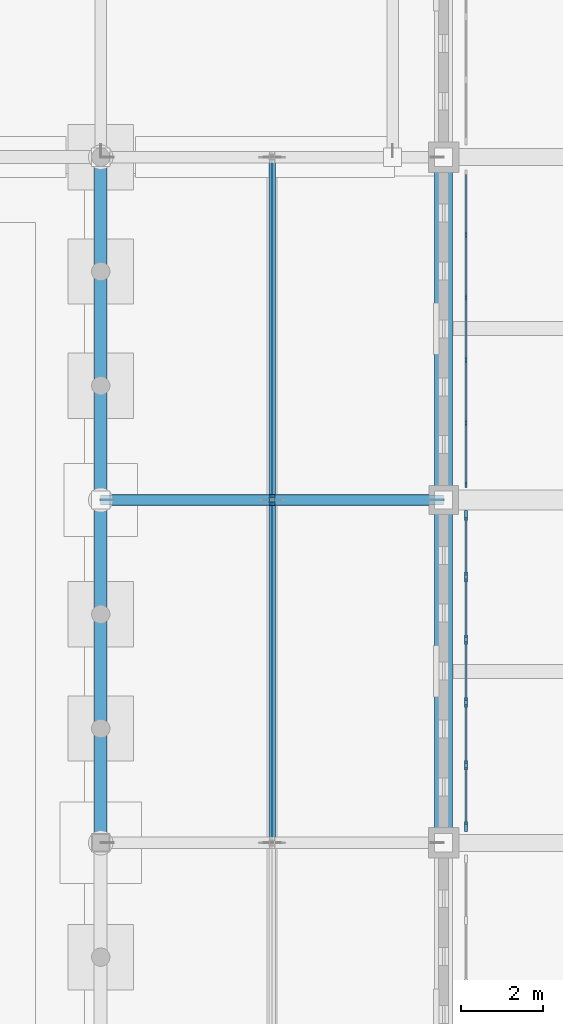
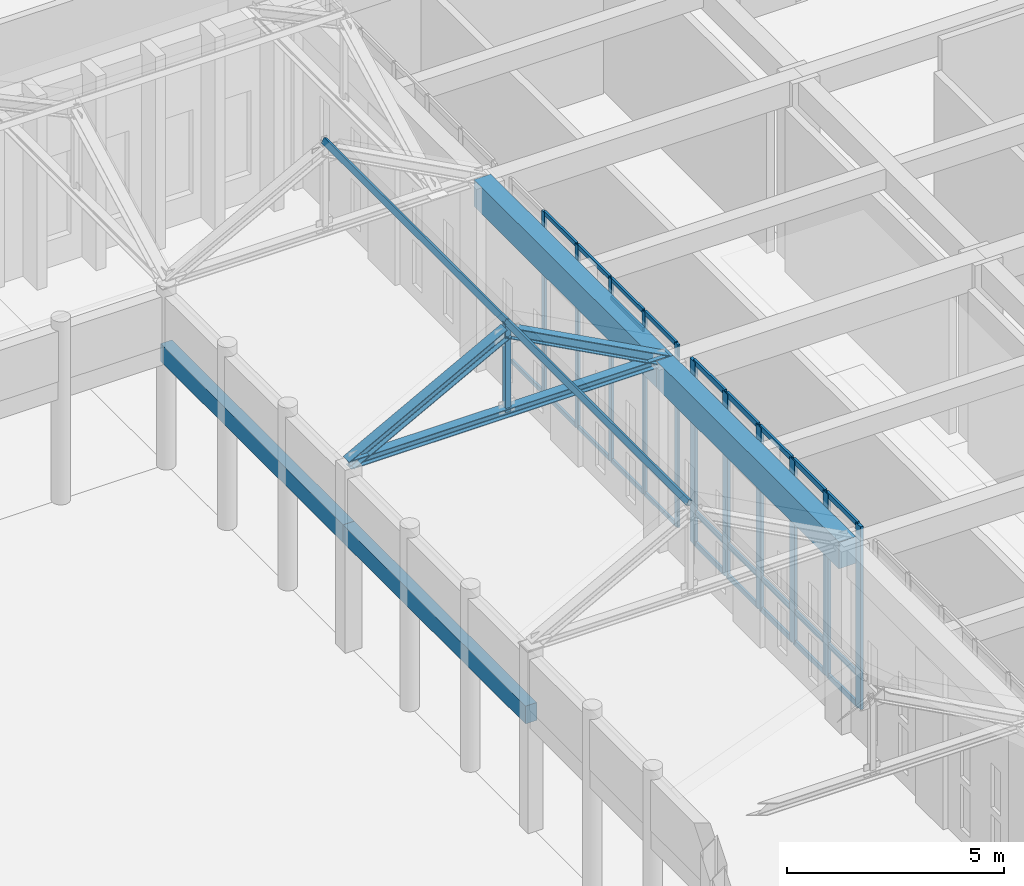
# One storey, part 61 of 143: 56 members, 4 beams, 2 elements without a shape of their own.
"""IFC4 building model written with IfcOpenShell, lengths in metres."""

from ifc_helpers import new_model, si_unit, direction, frame, origin, origin_2d, place, context, subcontext, project, spatial, rectangle, hollow_rectangle, i_section, extrude, material, layer, layer_set, material_profile, profile_set, type_object, element, aggregate, save


model = new_model("IFC4")

# Units and contexts
model_context = context("Model", 3, precision=1e-05, world=origin(), true_north=direction((0.0, 1.0)))
body_context = subcontext(model_context, "Body", "Model", "MODEL_VIEW")
ifc_project = project(units=[si_unit("LENGTHUNIT", "METRE"), si_unit("AREAUNIT", "SQUARE_METRE"), si_unit("VOLUMEUNIT", "CUBIC_METRE"), si_unit("PLANEANGLEUNIT", "RADIAN"), si_unit("MASSUNIT", "GRAM", prefix="KILO")], contexts=[model_context])

# Site, building, storey
site_placement = place(None, origin())
site = spatial("IfcSite", under=ifc_project, at=site_placement, CompositionType="ELEMENT")
building_placement = place(site_placement, origin())
building = spatial("IfcBuilding", under=site, at=building_placement, Name="Kveldsbrygga Polytechnic", CompositionType="ELEMENT")
storey_placement = place(building_placement, origin())
storey = spatial("IfcBuildingStorey", under=building, at=storey_placement, Name="L00", CompositionType="ELEMENT", Elevation=0.0)

# Beams
ifc_material_1 = material(Name="Concrete C35/45", Category="concrete")
ifc_material_profile_1 = material_profile(ifc_material_1, rectangle(XDim=0.449951171875, YDim=0.75, at=origin_2d()), Name="RC 450x750")
ifc_profile_set_1 = profile_set([ifc_material_profile_1], Name="Concrete C35/45")
beam_type_1 = type_object("IfcBeamType", Name="BM-RC-450x750", PredefinedType="BEAM", material=ifc_profile_set_1)
beam_1_placement = place(storey_placement, frame((126.0, 58.800048828125, 4.764892578125), z_axis=(0.0, 1.0, 0.0), x_axis=(-1.0, 0.0, 0.0)))
element("IfcBeam", 1, at=beam_1_placement, inside=storey, type_object=beam_type_1, Name="Primary Beam BMY-L00-15-07to08", PredefinedType="BEAM", context=body_context, shape_type="SweptSolid", body=[
    extrude(rectangle(XDim=0.449951171875, YDim=0.75, at=origin_2d()), origin(), (0.0, 0.0, 1.0), 8.39990234375),
])
beam_2_placement = place(storey_placement, frame((126.0, 67.199951171875, 4.764892578125), z_axis=(0.0, 1.0, 0.0), x_axis=(-1.0, 0.0, 0.0)))
element("IfcBeam", 2, at=beam_2_placement, inside=storey, type_object=beam_type_1, Name="Primary Beam BMY-L00-15-08to09", PredefinedType="BEAM", context=body_context, shape_type="SweptSolid", body=[
    extrude(rectangle(XDim=0.449951171875, YDim=0.75, at=origin_2d()), origin(), (0.0, 0.0, 1.0), 8.400146484375),
])

# Curtain wall, members
ifc_material_2 = material(Name="Anodised aluminium AW-6060", Category="aluminium")
ifc_layer_1 = layer(ifc_material_2, 0.179931640625)
ifc_layer_set_1 = layer_set([ifc_layer_1], Name="Anodised aluminium AW-6060")
curtain_wall_type_1 = type_object("IfcCurtainWallType", Name="CW-CONC-A", PredefinedType="USERDEFINED", material=ifc_layer_set_1)
curtain_wall_1_placement = place(storey_placement, origin())
curtain_wall_1 = element("IfcCurtainWall", 3, at=curtain_wall_1_placement, inside=storey, type_object=curtain_wall_type_1, Name="Curtain Wall CW-L00-Y-15-08", ObjectType="UNITISED CURTAIN WALL", PredefinedType="USERDEFINED")
ifc_material_profile_2 = material_profile(ifc_material_2, rectangle(XDim=0.06005859375, YDim=0.139892578125, at=origin_2d()), Name="ALU 60x140")
ifc_profile_set_2 = profile_set([ifc_material_profile_2], Name="Anodised aluminium AW-6060")
member_type_1 = type_object("IfcMemberType", Name="CW-MUL-140", PredefinedType="MULLION", material=ifc_profile_set_2)
member_1_placement = place(storey_placement, frame((126.550048828125, 67.574951171875, 0.0), z_axis=(0.0, 0.0, 1.0), x_axis=(-1.0, 0.0, 0.0)))
member_1 = element("IfcMember", 4, at=member_1_placement, type_object=member_type_1, Name="CW-01 mullion 1", PredefinedType="MULLION", context=body_context, shape_type="SweptSolid", body=[
    extrude(rectangle(XDim=0.06005859375, YDim=0.139892578125, at=origin_2d()), origin(), (0.0, 0.0, 1.0), 5.139892578125),
])
member_2_placement = place(storey_placement, frame((126.550048828125, 69.083984375, 0.0), z_axis=(0.0, 0.0, 1.0), x_axis=(-1.0, 0.0, 0.0)))
member_2 = element("IfcMember", 5, at=member_2_placement, type_object=member_type_1, Name="CW-01 mullion 2", PredefinedType="MULLION", context=body_context, shape_type="SweptSolid", body=[
    extrude(rectangle(XDim=0.06005859375, YDim=0.139892578125, at=origin_2d()), origin(), (0.0, 0.0, 1.0), 5.139892578125),
])
member_3_placement = place(storey_placement, frame((126.550048828125, 70.623046875, 0.0), z_axis=(0.0, 0.0, 1.0), x_axis=(-1.0, 0.0, 0.0)))
member_3 = element("IfcMember", 6, at=member_3_placement, type_object=member_type_1, Name="CW-01 mullion 3", PredefinedType="MULLION", context=body_context, shape_type="SweptSolid", body=[
    extrude(rectangle(XDim=0.06005859375, YDim=0.139892578125, at=origin_2d()), origin(), (0.0, 0.0, 1.0), 5.139892578125),
])
member_4_placement = place(storey_placement, frame((126.550048828125, 72.162109375, 0.0), z_axis=(0.0, 0.0, 1.0), x_axis=(-1.0, 0.0, 0.0)))
member_4 = element("IfcMember", 7, at=member_4_placement, type_object=member_type_1, Name="CW-01 mullion 4", PredefinedType="MULLION", context=body_context, shape_type="SweptSolid", body=[
    extrude(rectangle(XDim=0.06005859375, YDim=0.139892578125, at=origin_2d()), origin(), (0.0, 0.0, 1.0), 5.139892578125),
])
member_5_placement = place(storey_placement, frame((126.550048828125, 73.700927734375, 0.0), z_axis=(0.0, 0.0, 1.0), x_axis=(-1.0, 0.0, 0.0)))
member_5 = element("IfcMember", 8, at=member_5_placement, type_object=member_type_1, Name="CW-01 mullion 5", PredefinedType="MULLION", context=body_context, shape_type="SweptSolid", body=[
    extrude(rectangle(XDim=0.06005859375, YDim=0.139892578125, at=origin_2d()), origin(), (0.0, 0.0, 1.0), 5.139892578125),
])

ifc_layer_2 = layer(ifc_material_2, 0.2099609375)
ifc_layer_set_2 = layer_set([ifc_layer_2], Name="Anodised aluminium AW-6060")
curtain_wall_type_2 = type_object("IfcCurtainWallType", Name="CW-LIBR-H", PredefinedType="USERDEFINED", material=ifc_layer_set_2)
curtain_wall_2_placement = place(storey_placement, origin())
curtain_wall_2 = element("IfcCurtainWall", 9, at=curtain_wall_2_placement, inside=storey, type_object=curtain_wall_type_2, Name="Curtain Wall CW-L00-Y-15-07", ObjectType="UNITISED CURTAIN WALL", PredefinedType="USERDEFINED")
ifc_material_profile_3 = material_profile(ifc_material_2, rectangle(XDim=0.074951171875, YDim=0.239990234375, at=origin_2d()), Name="ALU 75x240")
ifc_profile_set_3 = profile_set([ifc_material_profile_3], Name="Anodised aluminium AW-6060")
member_type_2 = type_object("IfcMemberType", Name="CW-MUL-240", PredefinedType="MULLION", material=ifc_profile_set_3)
member_6_placement = place(storey_placement, frame((126.550048828125, 59.197509765625, 0.0), z_axis=(0.0, 0.0, 1.0), x_axis=(-1.0, 0.0, 0.0)))
member_6 = element("IfcMember", 10, at=member_6_placement, type_object=member_type_2, Name="CW-08 mullion 1", PredefinedType="MULLION", context=body_context, shape_type="SweptSolid", body=[
    extrude(rectangle(XDim=0.074951171875, YDim=0.239990234375, at=origin_2d()), origin(), (0.0, 0.0, 1.0), 5.139892578125),
])
member_7_placement = place(storey_placement, frame((126.550048828125, 60.698974609375, 0.0), z_axis=(0.0, 0.0, 1.0), x_axis=(-1.0, 0.0, 0.0)))
member_7 = element("IfcMember", 11, at=member_7_placement, type_object=member_type_2, Name="CW-08 mullion 2", PredefinedType="MULLION", context=body_context, shape_type="SweptSolid", body=[
    extrude(rectangle(XDim=0.074951171875, YDim=0.239990234375, at=origin_2d()), origin(), (0.0, 0.0, 1.0), 5.139892578125),
])
member_8_placement = place(storey_placement, frame((126.550048828125, 62.238037109375, 0.0), z_axis=(0.0, 0.0, 1.0), x_axis=(-1.0, 0.0, 0.0)))
member_8 = element("IfcMember", 12, at=member_8_placement, type_object=member_type_2, Name="CW-08 mullion 3", PredefinedType="MULLION", context=body_context, shape_type="SweptSolid", body=[
    extrude(rectangle(XDim=0.074951171875, YDim=0.239990234375, at=origin_2d()), origin(), (0.0, 0.0, 1.0), 5.139892578125),
])
member_9_placement = place(storey_placement, frame((126.550048828125, 63.777099609375, 0.0), z_axis=(0.0, 0.0, 1.0), x_axis=(-1.0, 0.0, 0.0)))
member_9 = element("IfcMember", 13, at=member_9_placement, type_object=member_type_2, Name="CW-08 mullion 4", PredefinedType="MULLION", context=body_context, shape_type="SweptSolid", body=[
    extrude(rectangle(XDim=0.074951171875, YDim=0.239990234375, at=origin_2d()), origin(), (0.0, 0.0, 1.0), 5.139892578125),
])
member_10_placement = place(storey_placement, frame((126.550048828125, 65.31591796875, 0.0), z_axis=(0.0, 0.0, 1.0), x_axis=(-1.0, 0.0, 0.0)))
member_10 = element("IfcMember", 14, at=member_10_placement, type_object=member_type_2, Name="CW-08 mullion 5", PredefinedType="MULLION", context=body_context, shape_type="SweptSolid", body=[
    extrude(rectangle(XDim=0.074951171875, YDim=0.239990234375, at=origin_2d()), origin(), (0.0, 0.0, 1.0), 5.139892578125),
])
member_11_placement = place(storey_placement, frame((126.550048828125, 66.8173828125, 0.0), z_axis=(0.0, 0.0, 1.0), x_axis=(-1.0, 0.0, 0.0)))
member_11 = element("IfcMember", 15, at=member_11_placement, type_object=member_type_2, Name="CW-08 mullion 6", PredefinedType="MULLION", context=body_context, shape_type="SweptSolid", body=[
    extrude(rectangle(XDim=0.074951171875, YDim=0.239990234375, at=origin_2d()), origin(), (0.0, 0.0, 1.0), 5.139892578125),
])

# Member
ifc_material_profile_4 = material_profile(ifc_material_2, rectangle(XDim=0.06005859375, YDim=0.1201171875, at=origin_2d()), Name="ALU 60x120")
ifc_profile_set_4 = profile_set([ifc_material_profile_4], Name="Anodised aluminium AW-6060")
member_type_3 = type_object("IfcMemberType", Name="CW-TRN-120", PredefinedType="USERDEFINED", material=ifc_profile_set_4)
member_12_placement = place(storey_placement, frame((126.550048828125, 67.60498046875, 0.030029296875), z_axis=(0.0, 1.0, 0.0), x_axis=(-1.0, 0.0, 0.0)))
member_12 = element("IfcMember", 16, at=member_12_placement, type_object=member_type_3, Name="CW-01 transom 1.1", ObjectType="TRANSOM", PredefinedType="USERDEFINED", context=body_context, shape_type="SweptSolid", body=[
    extrude(rectangle(XDim=0.06005859375, YDim=0.1201171875, at=origin_2d()), origin(), (0.0, 0.0, 1.0), 1.448974609375),
])

member_13_placement = place(storey_placement, frame((126.550048828125, 67.60498046875, 0.89990234375), z_axis=(0.0, 1.0, 0.0), x_axis=(-1.0, 0.0, 0.0)))
member_13 = element("IfcMember", 17, at=member_13_placement, type_object=member_type_3, Name="CW-01 transom 1.2", ObjectType="TRANSOM", PredefinedType="USERDEFINED", context=body_context, shape_type="SweptSolid", body=[
    extrude(rectangle(XDim=0.06005859375, YDim=0.1201171875, at=origin_2d()), origin(), (0.0, 0.0, 1.0), 1.448974609375),
])

member_14_placement = place(storey_placement, frame((126.550048828125, 67.60498046875, 4.590087890625), z_axis=(0.0, 1.0, 0.0), x_axis=(-1.0, 0.0, 0.0)))
member_14 = element("IfcMember", 18, at=member_14_placement, type_object=member_type_3, Name="CW-01 transom 1.3", ObjectType="TRANSOM", PredefinedType="USERDEFINED", context=body_context, shape_type="SweptSolid", body=[
    extrude(rectangle(XDim=0.06005859375, YDim=0.1201171875, at=origin_2d()), origin(), (0.0, 0.0, 1.0), 1.448974609375),
])

member_15_placement = place(storey_placement, frame((126.550048828125, 67.60498046875, 5.110107421875), z_axis=(0.0, 1.0, 0.0), x_axis=(-1.0, 0.0, 0.0)))
member_15 = element("IfcMember", 19, at=member_15_placement, type_object=member_type_3, Name="CW-01 transom 1.4", ObjectType="TRANSOM", PredefinedType="USERDEFINED", context=body_context, shape_type="SweptSolid", body=[
    extrude(rectangle(XDim=0.06005859375, YDim=0.1201171875, at=origin_2d()), origin(), (0.0, 0.0, 1.0), 1.448974609375),
])

member_16_placement = place(storey_placement, frame((126.550048828125, 69.114013671875, 0.030029296875), z_axis=(0.0, 1.0, 0.0), x_axis=(-1.0, 0.0, 0.0)))
member_16 = element("IfcMember", 20, at=member_16_placement, type_object=member_type_3, Name="CW-01 transom 2.1", ObjectType="TRANSOM", PredefinedType="USERDEFINED", context=body_context, shape_type="SweptSolid", body=[
    extrude(rectangle(XDim=0.06005859375, YDim=0.1201171875, at=origin_2d()), origin(), (0.0, 0.0, 1.0), 1.47900390625),
])

member_17_placement = place(storey_placement, frame((126.550048828125, 69.114013671875, 0.89990234375), z_axis=(0.0, 1.0, 0.0), x_axis=(-1.0, 0.0, 0.0)))
member_17 = element("IfcMember", 21, at=member_17_placement, type_object=member_type_3, Name="CW-01 transom 2.2", ObjectType="TRANSOM", PredefinedType="USERDEFINED", context=body_context, shape_type="SweptSolid", body=[
    extrude(rectangle(XDim=0.06005859375, YDim=0.1201171875, at=origin_2d()), origin(), (0.0, 0.0, 1.0), 1.47900390625),
])

member_18_placement = place(storey_placement, frame((126.550048828125, 69.114013671875, 4.590087890625), z_axis=(0.0, 1.0, 0.0), x_axis=(-1.0, 0.0, 0.0)))
member_18 = element("IfcMember", 22, at=member_18_placement, type_object=member_type_3, Name="CW-01 transom 2.3", ObjectType="TRANSOM", PredefinedType="USERDEFINED", context=body_context, shape_type="SweptSolid", body=[
    extrude(rectangle(XDim=0.06005859375, YDim=0.1201171875, at=origin_2d()), origin(), (0.0, 0.0, 1.0), 1.47900390625),
])

member_19_placement = place(storey_placement, frame((126.550048828125, 69.114013671875, 5.110107421875), z_axis=(0.0, 1.0, 0.0), x_axis=(-1.0, 0.0, 0.0)))
member_19 = element("IfcMember", 23, at=member_19_placement, type_object=member_type_3, Name="CW-01 transom 2.4", ObjectType="TRANSOM", PredefinedType="USERDEFINED", context=body_context, shape_type="SweptSolid", body=[
    extrude(rectangle(XDim=0.06005859375, YDim=0.1201171875, at=origin_2d()), origin(), (0.0, 0.0, 1.0), 1.47900390625),
])

member_20_placement = place(storey_placement, frame((126.550048828125, 70.653076171875, 0.030029296875), z_axis=(0.0, 1.0, 0.0), x_axis=(-1.0, 0.0, 0.0)))
member_20 = element("IfcMember", 24, at=member_20_placement, type_object=member_type_3, Name="CW-01 transom 3.1", ObjectType="TRANSOM", PredefinedType="USERDEFINED", context=body_context, shape_type="SweptSolid", body=[
    extrude(rectangle(XDim=0.06005859375, YDim=0.1201171875, at=origin_2d()), origin(), (0.0, 0.0, 1.0), 1.47900390625),
])

member_21_placement = place(storey_placement, frame((126.550048828125, 70.653076171875, 0.89990234375), z_axis=(0.0, 1.0, 0.0), x_axis=(-1.0, 0.0, 0.0)))
member_21 = element("IfcMember", 25, at=member_21_placement, type_object=member_type_3, Name="CW-01 transom 3.2", ObjectType="TRANSOM", PredefinedType="USERDEFINED", context=body_context, shape_type="SweptSolid", body=[
    extrude(rectangle(XDim=0.06005859375, YDim=0.1201171875, at=origin_2d()), origin(), (0.0, 0.0, 1.0), 1.47900390625),
])

member_22_placement = place(storey_placement, frame((126.550048828125, 70.653076171875, 4.590087890625), z_axis=(0.0, 1.0, 0.0), x_axis=(-1.0, 0.0, 0.0)))
member_22 = element("IfcMember", 26, at=member_22_placement, type_object=member_type_3, Name="CW-01 transom 3.3", ObjectType="TRANSOM", PredefinedType="USERDEFINED", context=body_context, shape_type="SweptSolid", body=[
    extrude(rectangle(XDim=0.06005859375, YDim=0.1201171875, at=origin_2d()), origin(), (0.0, 0.0, 1.0), 1.47900390625),
])

member_23_placement = place(storey_placement, frame((126.550048828125, 70.653076171875, 5.110107421875), z_axis=(0.0, 1.0, 0.0), x_axis=(-1.0, 0.0, 0.0)))
member_23 = element("IfcMember", 27, at=member_23_placement, type_object=member_type_3, Name="CW-01 transom 3.4", ObjectType="TRANSOM", PredefinedType="USERDEFINED", context=body_context, shape_type="SweptSolid", body=[
    extrude(rectangle(XDim=0.06005859375, YDim=0.1201171875, at=origin_2d()), origin(), (0.0, 0.0, 1.0), 1.47900390625),
])

member_24_placement = place(storey_placement, frame((126.550048828125, 72.19189453125, 0.030029296875), z_axis=(0.0, 1.0, 0.0), x_axis=(-1.0, 0.0, 0.0)))
member_24 = element("IfcMember", 28, at=member_24_placement, type_object=member_type_3, Name="CW-01 transom 4.1", ObjectType="TRANSOM", PredefinedType="USERDEFINED", context=body_context, shape_type="SweptSolid", body=[
    extrude(rectangle(XDim=0.06005859375, YDim=0.1201171875, at=origin_2d()), origin(), (0.0, 0.0, 1.0), 1.47900390625),
])

member_25_placement = place(storey_placement, frame((126.550048828125, 72.19189453125, 0.89990234375), z_axis=(0.0, 1.0, 0.0), x_axis=(-1.0, 0.0, 0.0)))
member_25 = element("IfcMember", 29, at=member_25_placement, type_object=member_type_3, Name="CW-01 transom 4.2", ObjectType="TRANSOM", PredefinedType="USERDEFINED", context=body_context, shape_type="SweptSolid", body=[
    extrude(rectangle(XDim=0.06005859375, YDim=0.1201171875, at=origin_2d()), origin(), (0.0, 0.0, 1.0), 1.47900390625),
])

member_26_placement = place(storey_placement, frame((126.550048828125, 72.19189453125, 4.590087890625), z_axis=(0.0, 1.0, 0.0), x_axis=(-1.0, 0.0, 0.0)))
member_26 = element("IfcMember", 30, at=member_26_placement, type_object=member_type_3, Name="CW-01 transom 4.3", ObjectType="TRANSOM", PredefinedType="USERDEFINED", context=body_context, shape_type="SweptSolid", body=[
    extrude(rectangle(XDim=0.06005859375, YDim=0.1201171875, at=origin_2d()), origin(), (0.0, 0.0, 1.0), 1.47900390625),
])

member_27_placement = place(storey_placement, frame((126.550048828125, 72.19189453125, 5.110107421875), z_axis=(0.0, 1.0, 0.0), x_axis=(-1.0, 0.0, 0.0)))
member_27 = element("IfcMember", 31, at=member_27_placement, type_object=member_type_3, Name="CW-01 transom 4.4", ObjectType="TRANSOM", PredefinedType="USERDEFINED", context=body_context, shape_type="SweptSolid", body=[
    extrude(rectangle(XDim=0.06005859375, YDim=0.1201171875, at=origin_2d()), origin(), (0.0, 0.0, 1.0), 1.47900390625),
])

member_28_placement = place(storey_placement, frame((126.550048828125, 73.73095703125, 0.030029296875), z_axis=(0.0, 1.0, 0.0), x_axis=(-1.0, 0.0, 0.0)))
member_28 = element("IfcMember", 32, at=member_28_placement, type_object=member_type_3, Name="CW-01 transom 5.1", ObjectType="TRANSOM", PredefinedType="USERDEFINED", context=body_context, shape_type="SweptSolid", body=[
    extrude(rectangle(XDim=0.06005859375, YDim=0.1201171875, at=origin_2d()), origin(), (0.0, 0.0, 1.0), 1.448974609375),
])

member_29_placement = place(storey_placement, frame((126.550048828125, 73.73095703125, 0.89990234375), z_axis=(0.0, 1.0, 0.0), x_axis=(-1.0, 0.0, 0.0)))
member_29 = element("IfcMember", 33, at=member_29_placement, type_object=member_type_3, Name="CW-01 transom 5.2", ObjectType="TRANSOM", PredefinedType="USERDEFINED", context=body_context, shape_type="SweptSolid", body=[
    extrude(rectangle(XDim=0.06005859375, YDim=0.1201171875, at=origin_2d()), origin(), (0.0, 0.0, 1.0), 1.448974609375),
])

member_30_placement = place(storey_placement, frame((126.550048828125, 73.73095703125, 4.590087890625), z_axis=(0.0, 1.0, 0.0), x_axis=(-1.0, 0.0, 0.0)))
member_30 = element("IfcMember", 34, at=member_30_placement, type_object=member_type_3, Name="CW-01 transom 5.3", ObjectType="TRANSOM", PredefinedType="USERDEFINED", context=body_context, shape_type="SweptSolid", body=[
    extrude(rectangle(XDim=0.06005859375, YDim=0.1201171875, at=origin_2d()), origin(), (0.0, 0.0, 1.0), 1.448974609375),
])

aggregate(curtain_wall_1, [member_1, member_2, member_3, member_4, member_5, member_12, member_13, member_14, member_15, member_16, member_17, member_18, member_19, member_20, member_21, member_22, member_23, member_24, member_25, member_26, member_27, member_28, member_29, member_30])

ifc_material_profile_5 = material_profile(ifc_material_2, rectangle(XDim=0.06005859375, YDim=0.14990234375, at=origin_2d()), Name="ALU 60x150")
ifc_profile_set_5 = profile_set([ifc_material_profile_5], Name="Anodised aluminium AW-6060")
member_type_4 = type_object("IfcMemberType", Name="CW-TRN-150", PredefinedType="USERDEFINED", material=ifc_profile_set_5)
member_31_placement = place(storey_placement, frame((126.550048828125, 59.235107421875, 0.030029296875), z_axis=(0.0, 1.0, 0.0), x_axis=(-1.0, 0.0, 0.0)))
member_31 = element("IfcMember", 35, at=member_31_placement, type_object=member_type_4, Name="CW-08 transom 1.1", ObjectType="TRANSOM", PredefinedType="USERDEFINED", context=body_context, shape_type="SweptSolid", body=[
    extrude(rectangle(XDim=0.06005859375, YDim=0.14990234375, at=origin_2d()), origin(), (0.0, 0.0, 1.0), 1.426513671875),
])

member_32_placement = place(storey_placement, frame((126.550048828125, 59.235107421875, 0.89990234375), z_axis=(0.0, 1.0, 0.0), x_axis=(-1.0, 0.0, 0.0)))
member_32 = element("IfcMember", 36, at=member_32_placement, type_object=member_type_4, Name="CW-08 transom 1.2", ObjectType="TRANSOM", PredefinedType="USERDEFINED", context=body_context, shape_type="SweptSolid", body=[
    extrude(rectangle(XDim=0.06005859375, YDim=0.14990234375, at=origin_2d()), origin(), (0.0, 0.0, 1.0), 1.426513671875),
])

member_33_placement = place(storey_placement, frame((126.550048828125, 59.235107421875, 4.590087890625), z_axis=(0.0, 1.0, 0.0), x_axis=(-1.0, 0.0, 0.0)))
member_33 = element("IfcMember", 37, at=member_33_placement, type_object=member_type_4, Name="CW-08 transom 1.3", ObjectType="TRANSOM", PredefinedType="USERDEFINED", context=body_context, shape_type="SweptSolid", body=[
    extrude(rectangle(XDim=0.06005859375, YDim=0.14990234375, at=origin_2d()), origin(), (0.0, 0.0, 1.0), 1.426513671875),
])

member_34_placement = place(storey_placement, frame((126.550048828125, 59.235107421875, 5.110107421875), z_axis=(0.0, 1.0, 0.0), x_axis=(-1.0, 0.0, 0.0)))
member_34 = element("IfcMember", 38, at=member_34_placement, type_object=member_type_4, Name="CW-08 transom 1.4", ObjectType="TRANSOM", PredefinedType="USERDEFINED", context=body_context, shape_type="SweptSolid", body=[
    extrude(rectangle(XDim=0.06005859375, YDim=0.14990234375, at=origin_2d()), origin(), (0.0, 0.0, 1.0), 1.426513671875),
])

member_35_placement = place(storey_placement, frame((126.550048828125, 60.736572265625, 0.030029296875), z_axis=(0.0, 1.0, 0.0), x_axis=(-1.0, 0.0, 0.0)))
member_35 = element("IfcMember", 39, at=member_35_placement, type_object=member_type_4, Name="CW-08 transom 2.1", ObjectType="TRANSOM", PredefinedType="USERDEFINED", context=body_context, shape_type="SweptSolid", body=[
    extrude(rectangle(XDim=0.06005859375, YDim=0.14990234375, at=origin_2d()), origin(), (0.0, 0.0, 1.0), 1.4638671875),
])

member_36_placement = place(storey_placement, frame((126.550048828125, 60.736572265625, 0.89990234375), z_axis=(0.0, 1.0, 0.0), x_axis=(-1.0, 0.0, 0.0)))
member_36 = element("IfcMember", 40, at=member_36_placement, type_object=member_type_4, Name="CW-08 transom 2.2", ObjectType="TRANSOM", PredefinedType="USERDEFINED", context=body_context, shape_type="SweptSolid", body=[
    extrude(rectangle(XDim=0.06005859375, YDim=0.14990234375, at=origin_2d()), origin(), (0.0, 0.0, 1.0), 1.4638671875),
])

member_37_placement = place(storey_placement, frame((126.550048828125, 60.736572265625, 4.590087890625), z_axis=(0.0, 1.0, 0.0), x_axis=(-1.0, 0.0, 0.0)))
member_37 = element("IfcMember", 41, at=member_37_placement, type_object=member_type_4, Name="CW-08 transom 2.3", ObjectType="TRANSOM", PredefinedType="USERDEFINED", context=body_context, shape_type="SweptSolid", body=[
    extrude(rectangle(XDim=0.06005859375, YDim=0.14990234375, at=origin_2d()), origin(), (0.0, 0.0, 1.0), 1.4638671875),
])

member_38_placement = place(storey_placement, frame((126.550048828125, 60.736572265625, 5.110107421875), z_axis=(0.0, 1.0, 0.0), x_axis=(-1.0, 0.0, 0.0)))
member_38 = element("IfcMember", 42, at=member_38_placement, type_object=member_type_4, Name="CW-08 transom 2.4", ObjectType="TRANSOM", PredefinedType="USERDEFINED", context=body_context, shape_type="SweptSolid", body=[
    extrude(rectangle(XDim=0.06005859375, YDim=0.14990234375, at=origin_2d()), origin(), (0.0, 0.0, 1.0), 1.4638671875),
])

member_39_placement = place(storey_placement, frame((126.550048828125, 62.275390625, 0.030029296875), z_axis=(0.0, 1.0, 0.0), x_axis=(-1.0, 0.0, 0.0)))
member_39 = element("IfcMember", 43, at=member_39_placement, type_object=member_type_4, Name="CW-08 transom 3.1", ObjectType="TRANSOM", PredefinedType="USERDEFINED", context=body_context, shape_type="SweptSolid", body=[
    extrude(rectangle(XDim=0.06005859375, YDim=0.14990234375, at=origin_2d()), origin(), (0.0, 0.0, 1.0), 1.464111328125),
])

member_40_placement = place(storey_placement, frame((126.550048828125, 62.275390625, 0.89990234375), z_axis=(0.0, 1.0, 0.0), x_axis=(-1.0, 0.0, 0.0)))
member_40 = element("IfcMember", 44, at=member_40_placement, type_object=member_type_4, Name="CW-08 transom 3.2", ObjectType="TRANSOM", PredefinedType="USERDEFINED", context=body_context, shape_type="SweptSolid", body=[
    extrude(rectangle(XDim=0.06005859375, YDim=0.14990234375, at=origin_2d()), origin(), (0.0, 0.0, 1.0), 1.464111328125),
])

member_41_placement = place(storey_placement, frame((126.550048828125, 62.275390625, 4.590087890625), z_axis=(0.0, 1.0, 0.0), x_axis=(-1.0, 0.0, 0.0)))
member_41 = element("IfcMember", 45, at=member_41_placement, type_object=member_type_4, Name="CW-08 transom 3.3", ObjectType="TRANSOM", PredefinedType="USERDEFINED", context=body_context, shape_type="SweptSolid", body=[
    extrude(rectangle(XDim=0.06005859375, YDim=0.14990234375, at=origin_2d()), origin(), (0.0, 0.0, 1.0), 1.464111328125),
])

member_42_placement = place(storey_placement, frame((126.550048828125, 62.275390625, 5.110107421875), z_axis=(0.0, 1.0, 0.0), x_axis=(-1.0, 0.0, 0.0)))
member_42 = element("IfcMember", 46, at=member_42_placement, type_object=member_type_4, Name="CW-08 transom 3.4", ObjectType="TRANSOM", PredefinedType="USERDEFINED", context=body_context, shape_type="SweptSolid", body=[
    extrude(rectangle(XDim=0.06005859375, YDim=0.14990234375, at=origin_2d()), origin(), (0.0, 0.0, 1.0), 1.464111328125),
])

member_43_placement = place(storey_placement, frame((126.550048828125, 63.814453125, 0.030029296875), z_axis=(0.0, 1.0, 0.0), x_axis=(-1.0, 0.0, 0.0)))
member_43 = element("IfcMember", 47, at=member_43_placement, type_object=member_type_4, Name="CW-08 transom 4.1", ObjectType="TRANSOM", PredefinedType="USERDEFINED", context=body_context, shape_type="SweptSolid", body=[
    extrude(rectangle(XDim=0.06005859375, YDim=0.14990234375, at=origin_2d()), origin(), (0.0, 0.0, 1.0), 1.464111328125),
])

member_44_placement = place(storey_placement, frame((126.550048828125, 63.814453125, 0.89990234375), z_axis=(0.0, 1.0, 0.0), x_axis=(-1.0, 0.0, 0.0)))
member_44 = element("IfcMember", 48, at=member_44_placement, type_object=member_type_4, Name="CW-08 transom 4.2", ObjectType="TRANSOM", PredefinedType="USERDEFINED", context=body_context, shape_type="SweptSolid", body=[
    extrude(rectangle(XDim=0.06005859375, YDim=0.14990234375, at=origin_2d()), origin(), (0.0, 0.0, 1.0), 1.464111328125),
])

member_45_placement = place(storey_placement, frame((126.550048828125, 63.814453125, 4.590087890625), z_axis=(0.0, 1.0, 0.0), x_axis=(-1.0, 0.0, 0.0)))
member_45 = element("IfcMember", 49, at=member_45_placement, type_object=member_type_4, Name="CW-08 transom 4.3", ObjectType="TRANSOM", PredefinedType="USERDEFINED", context=body_context, shape_type="SweptSolid", body=[
    extrude(rectangle(XDim=0.06005859375, YDim=0.14990234375, at=origin_2d()), origin(), (0.0, 0.0, 1.0), 1.464111328125),
])

member_46_placement = place(storey_placement, frame((126.550048828125, 63.814453125, 5.110107421875), z_axis=(0.0, 1.0, 0.0), x_axis=(-1.0, 0.0, 0.0)))
member_46 = element("IfcMember", 50, at=member_46_placement, type_object=member_type_4, Name="CW-08 transom 4.4", ObjectType="TRANSOM", PredefinedType="USERDEFINED", context=body_context, shape_type="SweptSolid", body=[
    extrude(rectangle(XDim=0.06005859375, YDim=0.14990234375, at=origin_2d()), origin(), (0.0, 0.0, 1.0), 1.464111328125),
])

member_47_placement = place(storey_placement, frame((126.550048828125, 65.353515625, 0.030029296875), z_axis=(0.0, 1.0, 0.0), x_axis=(-1.0, 0.0, 0.0)))
member_47 = element("IfcMember", 51, at=member_47_placement, type_object=member_type_4, Name="CW-08 transom 5.1", ObjectType="TRANSOM", PredefinedType="USERDEFINED", context=body_context, shape_type="SweptSolid", body=[
    extrude(rectangle(XDim=0.06005859375, YDim=0.14990234375, at=origin_2d()), origin(), (0.0, 0.0, 1.0), 1.426513671875),
])

member_48_placement = place(storey_placement, frame((126.550048828125, 65.353515625, 0.89990234375), z_axis=(0.0, 1.0, 0.0), x_axis=(-1.0, 0.0, 0.0)))
member_48 = element("IfcMember", 52, at=member_48_placement, type_object=member_type_4, Name="CW-08 transom 5.2", ObjectType="TRANSOM", PredefinedType="USERDEFINED", context=body_context, shape_type="SweptSolid", body=[
    extrude(rectangle(XDim=0.06005859375, YDim=0.14990234375, at=origin_2d()), origin(), (0.0, 0.0, 1.0), 1.426513671875),
])

member_49_placement = place(storey_placement, frame((126.550048828125, 65.353515625, 4.590087890625), z_axis=(0.0, 1.0, 0.0), x_axis=(-1.0, 0.0, 0.0)))
member_49 = element("IfcMember", 53, at=member_49_placement, type_object=member_type_4, Name="CW-08 transom 5.3", ObjectType="TRANSOM", PredefinedType="USERDEFINED", context=body_context, shape_type="SweptSolid", body=[
    extrude(rectangle(XDim=0.06005859375, YDim=0.14990234375, at=origin_2d()), origin(), (0.0, 0.0, 1.0), 1.426513671875),
])

member_50_placement = place(storey_placement, frame((126.550048828125, 65.353515625, 5.110107421875), z_axis=(0.0, 1.0, 0.0), x_axis=(-1.0, 0.0, 0.0)))
member_50 = element("IfcMember", 54, at=member_50_placement, type_object=member_type_4, Name="CW-08 transom 5.4", ObjectType="TRANSOM", PredefinedType="USERDEFINED", context=body_context, shape_type="SweptSolid", body=[
    extrude(rectangle(XDim=0.06005859375, YDim=0.14990234375, at=origin_2d()), origin(), (0.0, 0.0, 1.0), 1.426513671875),
])

aggregate(curtain_wall_2, [member_6, member_7, member_8, member_9, member_10, member_11, member_31, member_32, member_33, member_34, member_35, member_36, member_37, member_38, member_39, member_40, member_41, member_42, member_43, member_44, member_45, member_46, member_47, member_48, member_49, member_50])

# Beams
ifc_material_profile_6 = material_profile(ifc_material_1, rectangle(XDim=0.300048828125, YDim=0.5, at=origin_2d()), Name="RC 300x500")
ifc_profile_set_6 = profile_set([ifc_material_profile_6], Name="Concrete C35/45")
beam_type_2 = type_object("IfcBeamType", Name="LNT-RC-300x500", PredefinedType="LINTEL", material=ifc_profile_set_6)
beam_3_placement = place(storey_placement, frame((117.60009765625, 58.800048828125, 3.199951171875), z_axis=(0.0, 1.0, 0.0), x_axis=(-1.0, 0.0, 0.0)))
element("IfcBeam", 55, at=beam_3_placement, inside=storey, type_object=beam_type_2, Name="Cloister Arcade Arch Lintel Beam BM-ARC-HDR-24", PredefinedType="LINTEL", context=body_context, shape_type="SweptSolid", body=[
    extrude(rectangle(XDim=0.300048828125, YDim=0.5, at=origin_2d()), origin(), (0.0, 0.0, 1.0), 8.39990234375),
])
beam_4_placement = place(storey_placement, frame((117.60009765625, 67.199951171875, 3.199951171875), z_axis=(0.0, 1.0, 0.0), x_axis=(-1.0, 0.0, 0.0)))
element("IfcBeam", 56, at=beam_4_placement, inside=storey, type_object=beam_type_2, Name="Cloister Arcade Arch Lintel Beam BM-ARC-HDR-25", PredefinedType="LINTEL", context=body_context, shape_type="SweptSolid", body=[
    extrude(rectangle(XDim=0.300048828125, YDim=0.5, at=origin_2d()), origin(), (0.0, 0.0, 1.0), 8.400146484375),
])

# Members
ifc_material_3 = material(Name="Steel S355", Category="steel")
ifc_material_profile_7 = material_profile(ifc_material_3, hollow_rectangle(XDim=0.10009765625, YDim=0.14990234375, WallThickness=0.008056640625, at=origin_2d()), Name="RHS 150x100x8.0")
ifc_profile_set_7 = profile_set([ifc_material_profile_7], Name="Steel S355")
member_type_5 = type_object("IfcMemberType", Name="PRL-RHS150", PredefinedType="PURLIN", material=ifc_profile_set_7)
member_51_placement = place(storey_placement, frame((121.800048828125, 58.800048828125, 7.6337890625), z_axis=(0.0, 1.0, 0.0), x_axis=(-0.881479888517, 0.0, 0.472221564671)))
element("IfcMember", 57, at=member_51_placement, inside=storey, type_object=member_type_5, Name="Roof Purlin ARC-EE-PRL-4-1", PredefinedType="PURLIN", context=body_context, shape_type="SweptSolid", body=[
    extrude(hollow_rectangle(XDim=0.10009765625, YDim=0.14990234375, WallThickness=0.008056640625, at=origin_2d()), origin(), (0.0, 0.0, 1.0), 8.39990234375),
])
member_52_placement = place(storey_placement, frame((121.800048828125, 67.199951171875, 7.6337890625), z_axis=(0.0, 1.0, 0.0), x_axis=(-0.881479888517, 0.0, 0.472221564671)))
element("IfcMember", 58, at=member_52_placement, inside=storey, type_object=member_type_5, Name="Roof Purlin ARC-EE-PRL-5-1", PredefinedType="PURLIN", context=body_context, shape_type="SweptSolid", body=[
    extrude(hollow_rectangle(XDim=0.10009765625, YDim=0.14990234375, WallThickness=0.008056640625, at=origin_2d()), origin(), (0.0, 0.0, 1.0), 8.400146484375),
])
ifc_material_profile_8 = material_profile(ifc_material_3, i_section(OverallWidth=0.239990234375, OverallDepth=0.239990234375, WebThickness=0.010009765625, FlangeThickness=0.01708984375, FilletRadius=0.02099609375, at=origin_2d()), Name="HEB 240")
ifc_profile_set_8 = profile_set([ifc_material_profile_8], Name="Steel S355")
member_type_6 = type_object("IfcMemberType", Name="TR-BOT-HEB240", PredefinedType="CHORD", material=ifc_profile_set_8)
member_53_placement = place(storey_placement, frame((117.60009765625, 67.199951171875, 5.139892578125), z_axis=(1.0, 0.0, 0.0), x_axis=(0.0, 1.0, 0.0)))
element("IfcMember", 59, at=member_53_placement, inside=storey, type_object=member_type_6, Name="Truss Bottom Chord ARC-EE-T05-BC-1", PredefinedType="CHORD", context=body_context, shape_type="SweptSolid", body=[
    extrude(i_section(OverallWidth=0.239990234375, OverallDepth=0.239990234375, WebThickness=0.010009765625, FlangeThickness=0.01708984375, FilletRadius=0.02099609375, at=origin_2d()), origin(), (0.0, 0.0, 1.0), 8.39990234375),
])
ifc_material_profile_9 = material_profile(ifc_material_3, hollow_rectangle(XDim=0.139892578125, YDim=0.139892578125, WallThickness=0.008056640625, at=origin_2d()), Name="SHS 140x140x8.0")
ifc_profile_set_9 = profile_set([ifc_material_profile_9], Name="Steel S355")
member_type_7 = type_object("IfcMemberType", Name="TR-POST-SHS140", PredefinedType="STRUT", material=ifc_profile_set_9)
member_54_placement = place(storey_placement, frame((121.800048828125, 67.199951171875, 5.139892578125), z_axis=(0.0, 0.0, 1.0), x_axis=(1.0, 0.0, 0.0)))
element("IfcMember", 60, at=member_54_placement, inside=storey, type_object=member_type_7, Name="Truss Vertical ARC-EE-T05-VT-1", PredefinedType="STRUT", context=body_context, shape_type="SweptSolid", body=[
    extrude(hollow_rectangle(XDim=0.139892578125, YDim=0.139892578125, WallThickness=0.008056640625, at=origin_2d()), origin(), (0.0, 0.0, 1.0), 2.493896484375),
])
ifc_material_profile_10 = material_profile(ifc_material_3, i_section(OverallWidth=0.280029296875, OverallDepth=0.280029296875, WebThickness=0.010498046875, FlangeThickness=0.01806640625, FilletRadius=0.02392578125, at=origin_2d()), Name="HEB 280")
ifc_profile_set_10 = profile_set([ifc_material_profile_10], Name="Steel S355")
member_type_8 = type_object("IfcMemberType", Name="TR-TOP-HEB280", PredefinedType="CHORD", material=ifc_profile_set_10)
for number, where, z_axis, x_axis, name in (
    (61, (117.60009765625, 67.199951171875, 5.139892578125), (0.881477684796, 0.0, 0.472225678258), (0.0, 1.0, 0.0), "Truss Top Chord ARC-EE-T05-TC-1"),
    (62, (121.800048828125, 67.199951171875, 7.389892578125), (0.881477684796, 0.0, -0.472225678258), (0.0, 1.0, 0.0), "Truss Top Chord ARC-EE-T05-TC-2"),
):
    element("IfcMember", number, at=place(storey_placement, frame(where, z_axis=z_axis, x_axis=x_axis)), inside=storey, type_object=member_type_8, Name=name, PredefinedType="CHORD", context=body_context, shape_type="SweptSolid", body=[
        extrude(i_section(OverallWidth=0.280029296875, OverallDepth=0.280029296875, WebThickness=0.010498046875, FlangeThickness=0.01806640625, FilletRadius=0.02392578125, at=origin_2d()), origin(), (0.0, 0.0, 1.0), 4.7646484375),
    ])

save(model, "model.ifc")
